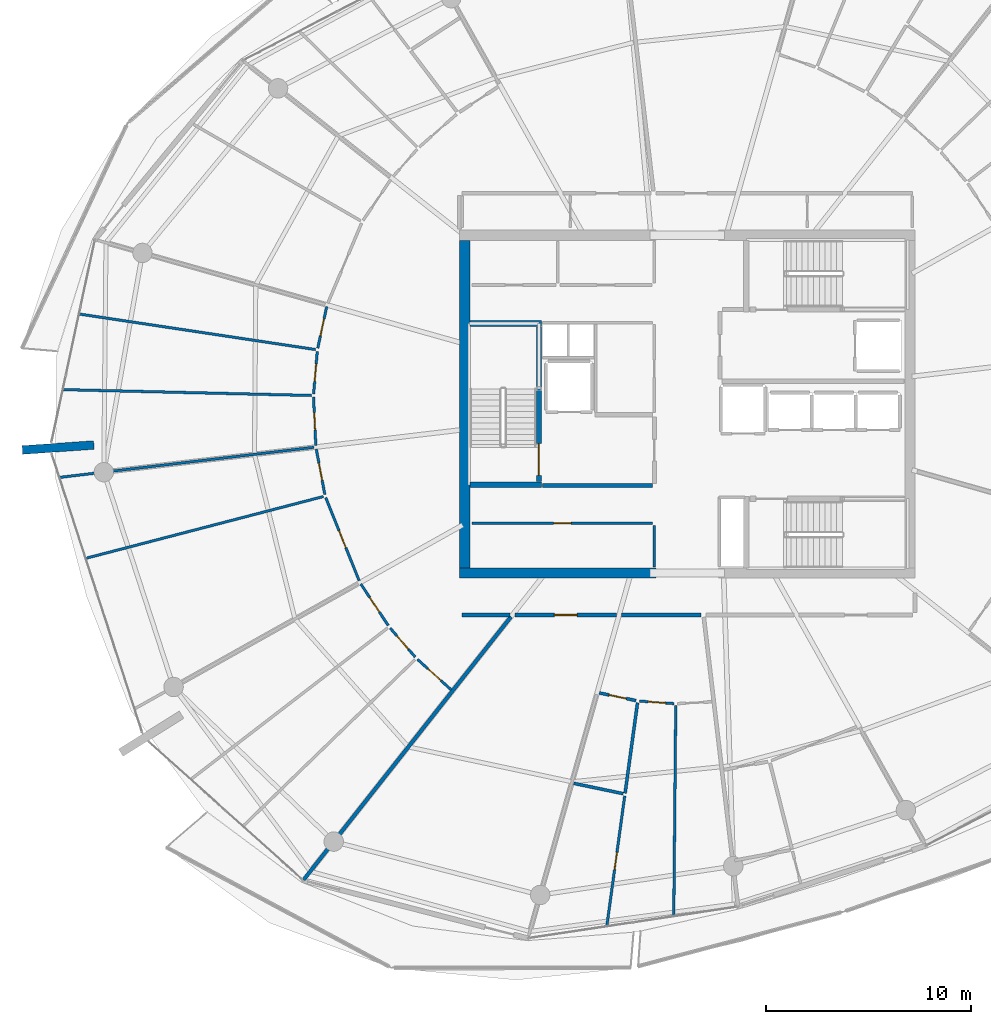
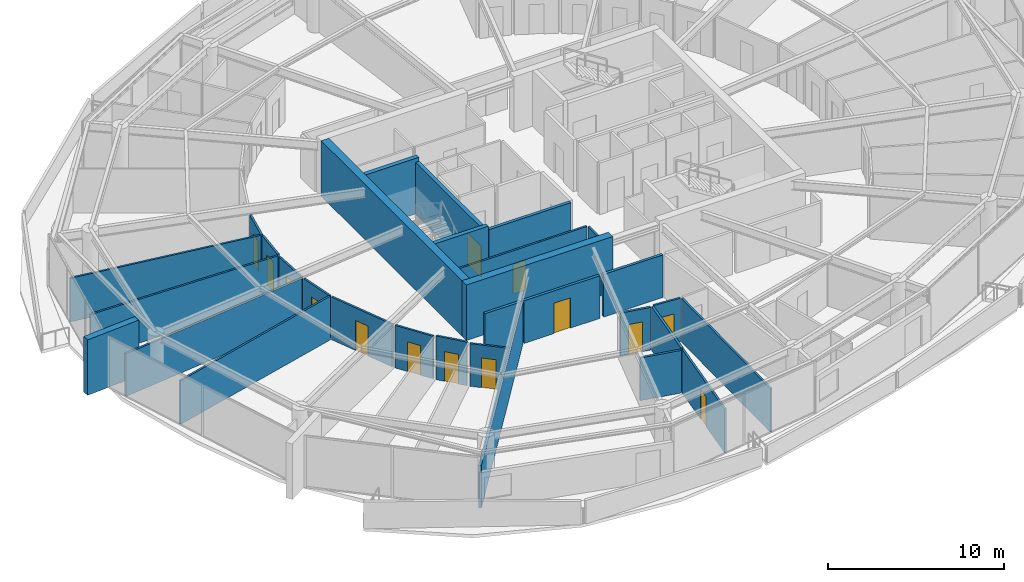
# One storey, part 18 of 30: 31 walls, 14 doors, 14 openings.
"""IFC4 building model written with IfcOpenShell, lengths in metres."""

from ifc_helpers import new_model, si_unit, direction, frame, frame_2d, origin, place, context, subcontext, project, spatial, rectangle, extrude, material, layer, layer_set, type_object, element, fill, save


model = new_model("IFC4")

# Units and contexts
model_context = context("Model", 3, precision=1e-05, world=origin(), true_north=direction((0.0, 1.0)))
body_context = subcontext(model_context, "Body", "Model", "MODEL_VIEW")
ifc_project = project(units=[si_unit("LENGTHUNIT", "METRE"), si_unit("AREAUNIT", "SQUARE_METRE"), si_unit("VOLUMEUNIT", "CUBIC_METRE"), si_unit("PLANEANGLEUNIT", "RADIAN"), si_unit("MASSUNIT", "GRAM", prefix="KILO")], contexts=[model_context])

# Site, building, storey
site_placement = place(None, origin())
site = spatial("IfcSite", under=ifc_project, at=site_placement, CompositionType="ELEMENT")
building_placement = place(site_placement, origin())
building = spatial("IfcBuilding", under=site, at=building_placement, Name="Kazma Halo Residences", CompositionType="ELEMENT")
storey_placement = place(building_placement, frame((0.0, 0.0, 279.050048828125)))
storey = spatial("IfcBuildingStorey", under=building, at=storey_placement, Name="L70", CompositionType="ELEMENT", Elevation=279.050048828125)

# Walls
ifc_material_1 = material(Name="Pale Concrete C60/75", Category="concrete")
ifc_layer_1 = layer(ifc_material_1, 0.419921875)
ifc_layer_set_1 = layer_set([ifc_layer_1], Name="Pale Concrete C60/75")
wall_type_1 = type_object("IfcWallType", Name="WL-BLADE-420", PredefinedType="SOLIDWALL", material=ifc_layer_set_1)
wall_1_placement = place(storey_placement, frame((19.4375, 40.002685546875, 0.0), z_axis=(0.0, 0.0, 1.0), x_axis=(-0.997563824095, -0.069759707979, 0.0)))
element("IfcWall", 1, at=wall_1_placement, inside=storey, type_object=wall_type_1, Name="L70 pale concrete structural blade fin wall BW-02", PredefinedType="SOLIDWALL", context=body_context, shape_type="SweptSolid", body=[
    extrude(rectangle(XDim=3.499755859375, YDim=0.419921875, at=frame_2d((1.75, 0.0))), origin(), (0.0, 0.0, 1.0), 3.849853515625),
])
ifc_material_2 = material(Name="Concrete C60/75", Category="concrete")
ifc_layer_2 = layer(ifc_material_2, 0.5)
ifc_layer_set_2 = layer_set([ifc_layer_2], Name="Concrete C60/75")
wall_type_2 = type_object("IfcWallType", Name="WL-CORE-500", PredefinedType="SHEAR", material=ifc_layer_set_2)
wall_2_placement = place(storey_placement, frame((37.300048828125, 33.75, 0.0), z_axis=(0.0, 0.0, 1.0), x_axis=(1.0, 0.0, 0.0)))
element("IfcWall", 2, at=wall_2_placement, inside=storey, type_object=wall_type_2, Name="L70 central core shear wall SW", PredefinedType="SHEAR", context=body_context, shape_type="SweptSolid", body=[
    extrude(rectangle(XDim=9.599853515625, YDim=0.5, at=frame_2d((4.7998046875, 0.0))), origin(), (0.0, 0.0, 1.0), 3.849853515625),
])
wall_3_placement = place(storey_placement, frame((37.550048828125, 34.0, 0.0), z_axis=(0.0, 0.0, 1.0), x_axis=(0.0, 1.0, 0.0)))
element("IfcWall", 3, at=wall_3_placement, inside=storey, type_object=wall_type_2, Name="L70 central core shear wall W", PredefinedType="SHEAR", context=body_context, shape_type="SweptSolid", body=[
    extrude(rectangle(XDim=16.0, YDim=0.5, at=frame_2d((8.0, 0.0))), origin(), (0.0, 0.0, 1.0), 3.849853515625),
])
ifc_layer_3 = layer(ifc_material_2, 0.280029296875)
ifc_layer_set_3 = layer_set([ifc_layer_3], Name="Concrete C60/75")
wall_type_3 = type_object("IfcWallType", Name="WL-CORE-ST-280", PredefinedType="SHEAR", material=ifc_layer_set_3)
for number, where, z_axis, x_axis, name in (
    (4, (37.800048828125, 38.06005859375, 0.0), (0.0, 0.0, 1.0), (1.0, 0.0, 0.0), "L70 stairwell bearing wall ST01-S"),
    (5, (37.800048828125, 45.93994140625, 0.0), (0.0, 0.0, 1.0), (1.0, 0.0, 0.0), "L70 stairwell bearing wall ST01-N"),
):
    element("IfcWall", number, at=place(storey_placement, frame(where, z_axis=z_axis, x_axis=x_axis)), inside=storey, type_object=wall_type_3, Name=name, PredefinedType="SHEAR", context=body_context, shape_type="SweptSolid", body=[
        extrude(rectangle(XDim=3.5, YDim=0.280029296875, at=frame_2d((1.75, 0.0))), origin(), (0.0, 0.0, 1.0), 3.849853515625),
    ])
ifc_material_3 = material(Name="Acoustic Twin-Stud Gypsum")
ifc_layer_4 = layer(ifc_material_3, 0.179931640625)
ifc_layer_set_4 = layer_set([ifc_layer_4], Name="Acoustic Twin-Stud Gypsum")
wall_type_4 = type_object("IfcWallType", Name="WL-DEM-180", PredefinedType="PARTITIONING", material=ifc_layer_set_4)
wall_4_placement = place(storey_placement, frame((39.81201171875, 31.613525390625, 0.0), z_axis=(0.0, 0.0, 1.0), x_axis=(-0.619097230176, -0.785314344443, 0.0)))
element("IfcWall", 6, at=wall_4_placement, inside=storey, type_object=wall_type_4, Name="L70 apartment demising radial wall 09", PredefinedType="PARTITIONING", context=body_context, shape_type="SweptSolid", body=[
    extrude(rectangle(XDim=16.369873046875, YDim=0.179931640625, at=frame_2d((8.18505859375, 0.0))), origin(), (0.0, 0.0, 1.0), 2.95703125),
])
wall_5_placement = place(storey_placement, frame((37.419921875, 31.699951171875, 0.0), z_axis=(0.0, 0.0, 1.0), x_axis=(1.0, 0.0, 0.0)))
element("IfcWall", 7, at=wall_5_placement, inside=storey, type_object=wall_type_4, Name="L70 Apartment 1 inner wall 8", PredefinedType="PARTITIONING", context=body_context, shape_type="SweptSolid", body=[
    extrude(rectangle(XDim=2.340087890625, YDim=0.179931640625, at=frame_2d((1.169921875, 0.0))), origin(), (0.0, 0.0, 1.0), 2.95703125),
])

# Wall, opening, door
wall_6_placement = place(storey_placement, frame((40.0, 31.699951171875, 0.0), z_axis=(0.0, 0.0, 1.0), x_axis=(1.0, 0.0, 0.0)))
wall_6 = element("IfcWall", 8, at=wall_6_placement, inside=storey, type_object=wall_type_4, Name="L70 Apartment 2 entrance corridor wall", PredefinedType="PARTITIONING", context=body_context, shape_type="SweptSolid", body=[
    extrude(rectangle(XDim=4.97509765625, YDim=0.179931640625, at=frame_2d((2.487548828125, 0.0))), origin(), (0.0, 0.0, 1.0), 2.95703125),
])
opening_1_placement = place(wall_6_placement, frame((1.9375, 0.0, 0.0)))
opening_1 = element("IfcOpeningElement", 9, at=opening_1_placement, cuts=wall_6, Name="Opening DA-1100", PredefinedType="OPENING", context=body_context, shape_type="SweptSolid", body=[
    extrude(rectangle(XDim=1.10009765625, YDim=2.10009765625, at=frame_2d((0.550048828125, 1.050048828125))), frame((0.0, 0.099853515625, 0.0), z_axis=(0.0, -1.0, 0.0), x_axis=(1.0, 0.0, 0.0)), (0.0, 0.0, 1.0), 0.199951171875),
])
ifc_material_4 = material(Name="Acoustic Walnut Fire Leaf")
door_type_1 = type_object("IfcDoorType", Name="DR-FD60-1100", OperationType="NOTDEFINED", PredefinedType="DOOR", material=ifc_material_4)
door_1_placement = place(opening_1_placement, origin())
door_1 = element("IfcDoor", 10, at=door_1_placement, inside=storey, type_object=door_type_1, Name="L70 Apartment 2 entrance fire door", OperationType="SINGLE_SWING_LEFT", OverallHeight=2.10009765625, OverallWidth=1.10009765625, PredefinedType="DOOR", context=body_context, shape_type="SweptSolid", body=[
    extrude(rectangle(XDim=1.10009765625, YDim=2.10009765625, at=frame_2d((0.550048828125, 1.050048828125))), frame((0.0, 0.02490234375, 0.0), z_axis=(0.0, -1.0, 0.0), x_axis=(1.0, 0.0, 0.0)), (0.0, 0.0, 1.0), 0.050048828125),
])
fill(opening_1, door_1)

# Walls
wall_7_placement = place(storey_placement, frame((45.215087890625, 31.699951171875, 0.0), z_axis=(0.0, 0.0, 1.0), x_axis=(1.0, 0.0, 0.0)))
element("IfcWall", 11, at=wall_7_placement, inside=storey, type_object=wall_type_4, Name="L70 Apartment 2 inner wall 10", PredefinedType="PARTITIONING", context=body_context, shape_type="SweptSolid", body=[
    extrude(rectangle(XDim=3.884033203125, YDim=0.179931640625, at=frame_2d((1.94189453125, 0.0))), origin(), (0.0, 0.0, 1.0), 2.95703125),
])
ifc_material_5 = material(Name="Fire-Rated Blockwork Masonry", Category="masonry")
ifc_layer_5 = layer(ifc_material_5, 0.199951171875)
ifc_layer_set_5 = layer_set([ifc_layer_5], Name="Fire-Rated Blockwork Masonry")
wall_type_5 = type_object("IfcWallType", Name="WL-FLB-200", PredefinedType="PARTITIONING", material=ifc_layer_set_5)
wall_8_placement = place(storey_placement, frame((41.35009765625, 38.02001953125, 0.0), z_axis=(0.0, 0.0, 1.0), x_axis=(1.0, 0.0, 0.0)))
element("IfcWall", 12, at=wall_8_placement, inside=storey, type_object=wall_type_5, Name="L70 west firefighting lobby south smoke wall", PredefinedType="PARTITIONING", context=body_context, shape_type="SweptSolid", body=[
    extrude(rectangle(XDim=5.369873046875, YDim=0.199951171875, at=frame_2d((2.68505859375, 0.0))), origin(), (0.0, 0.0, 1.0), 3.58984375),
])
ifc_material_6 = material(Name="Gypsum Plasterboard Partition")
ifc_layer_6 = layer(ifc_material_6, 0.125)
ifc_layer_set_6 = layer_set([ifc_layer_6], Name="Gypsum Plasterboard Partition")
wall_type_6 = type_object("IfcWallType", Name="WL-PART-125", PredefinedType="PARTITIONING", material=ifc_layer_set_6)
wall_9_placement = place(storey_placement, frame((46.820068359375, 34.050048828125, 0.0), z_axis=(0.0, 0.0, 1.0), x_axis=(0.0, 1.0, 0.0)))
element("IfcWall", 13, at=wall_9_placement, inside=storey, type_object=wall_type_6, Name="L70 reclaimed south east wall", PredefinedType="PARTITIONING", context=body_context, shape_type="SweptSolid", body=[
    extrude(rectangle(XDim=2.030029296875, YDim=0.125, at=frame_2d((1.01513671875, 0.0))), origin(), (0.0, 0.0, 1.0), 3.030029296875),
])

# Wall, opening, door
wall_10_placement = place(storey_placement, frame((37.919921875, 36.179931640625, 0.0), z_axis=(0.0, 0.0, 1.0), x_axis=(1.0, 0.0, 0.0)))
wall_10 = element("IfcWall", 14, at=wall_10_placement, inside=storey, type_object=wall_type_6, Name="L70 reclaimed south front wall", PredefinedType="PARTITIONING", context=body_context, shape_type="SweptSolid", body=[
    extrude(rectangle(XDim=8.800048828125, YDim=0.125, at=frame_2d((4.39990234375, 0.0))), origin(), (0.0, 0.0, 1.0), 3.030029296875),
])
opening_2_placement = place(wall_10_placement, frame((3.97509765625, 0.0, 0.0)))
opening_2 = element("IfcOpeningElement", 15, at=opening_2_placement, cuts=wall_10, Name="Opening DS-850", PredefinedType="OPENING", context=body_context, shape_type="SweptSolid", body=[
    extrude(rectangle(XDim=0.85009765625, YDim=2.06005859375, at=frame_2d((0.425048828125, 1.030029296875))), frame((0.0, 0.072509765625, 0.0), z_axis=(0.0, -1.0, 0.0), x_axis=(1.0, 0.0, 0.0)), (0.0, 0.0, 1.0), 0.14501953125),
])
ifc_material_7 = material(Name="Painted Steel Access Leaf", Category="steel")
door_type_2 = type_object("IfcDoorType", Name="DR-SVC-850", OperationType="NOTDEFINED", PredefinedType="DOOR", material=ifc_material_7)
door_2_placement = place(opening_2_placement, origin())
door_2 = element("IfcDoor", 16, at=door_2_placement, inside=storey, type_object=door_type_2, Name="L70 reclaimed south service door", OperationType="SINGLE_SWING_LEFT", OverallHeight=2.06005859375, OverallWidth=0.85009765625, PredefinedType="DOOR", context=body_context, shape_type="SweptSolid", body=[
    extrude(rectangle(XDim=0.85009765625, YDim=2.06005859375, at=frame_2d((0.425048828125, 1.030029296875))), frame((0.0, 0.02490234375, 0.0), z_axis=(0.0, -1.0, 0.0), x_axis=(1.0, 0.0, 0.0)), (0.0, 0.0, 1.0), 0.050048828125),
])
fill(opening_2, door_2)

# Walls
wall_11_placement = place(storey_placement, frame((30.267333984375, 44.666015625, 0.0), z_axis=(0.0, 0.0, 1.0), x_axis=(-0.988886077573, 0.148675235266, 0.0)))
element("IfcWall", 17, at=wall_11_placement, inside=storey, type_object=wall_type_6, Name="L70 Apartment 1 bay wall 1 6", PredefinedType="PARTITIONING", context=body_context, shape_type="SweptSolid", body=[
    extrude(rectangle(XDim=11.66064453125, YDim=0.125, at=frame_2d((5.830322265625, 0.0))), origin(), (0.0, 0.0, 1.0), 3.030029296875),
])
wall_12_placement = place(storey_placement, frame((30.072998046875, 42.422607421875, 0.0), z_axis=(0.0, 0.0, 1.0), x_axis=(-0.999722774678, 0.023545143653, 0.0)))
element("IfcWall", 18, at=wall_12_placement, inside=storey, type_object=wall_type_6, Name="L70 Apartment 1 bay wall 2 6", PredefinedType="PARTITIONING", context=body_context, shape_type="SweptSolid", body=[
    extrude(rectangle(XDim=12.1318359375, YDim=0.125, at=frame_2d((6.06591796875, 0.0))), origin(), (0.0, 0.0, 1.0), 3.030029296875),
])

# Wall, opening, door
wall_13_placement = place(storey_placement, frame((30.81103515625, 46.764892578125, 0.0), z_axis=(0.0, 0.0, 1.0), x_axis=(-0.210490523381, -0.977595897888, 0.0)))
wall_13 = element("IfcWall", 19, at=wall_13_placement, inside=storey, type_object=wall_type_6, Name="L70 Apartment 1 East Bedroom hall wall", PredefinedType="PARTITIONING", context=body_context, shape_type="SweptSolid", body=[
    extrude(rectangle(XDim=2.080810546875, YDim=0.125, at=frame_2d((1.04052734375, 0.0))), origin(), (0.0, 0.0, 1.0), 2.95703125),
])
opening_3_placement = place(wall_13_placement, frame((0.615234375, 0.0, 0.0)))
opening_3 = element("IfcOpeningElement", 20, at=opening_3_placement, cuts=wall_13, Name="Opening DB-900", PredefinedType="OPENING", context=body_context, shape_type="SweptSolid", body=[
    extrude(rectangle(XDim=0.85009765625, YDim=2.06005859375, at=frame_2d((0.425048828125, 1.030029296875))), frame((0.0, 0.072509765625, 0.0), z_axis=(0.0, -1.0, 0.0), x_axis=(1.0, 0.0, 0.0)), (0.0, 0.0, 1.0), 0.14501953125),
])
ifc_material_8 = material(Name="Moisture-Sealed Timber Leaf", Category="wood")
door_type_3 = type_object("IfcDoorType", Name="DR-BTH-900", OperationType="NOTDEFINED", PredefinedType="DOOR", material=ifc_material_8)
door_3_placement = place(opening_3_placement, origin())
door_3 = element("IfcDoor", 21, at=door_3_placement, inside=storey, type_object=door_type_3, Name="L70 Apartment 1 East Bedroom door", OperationType="SINGLE_SWING_RIGHT", OverallHeight=2.06005859375, OverallWidth=0.85009765625, PredefinedType="DOOR", context=body_context, shape_type="SweptSolid", body=[
    extrude(rectangle(XDim=0.85009765625, YDim=2.06005859375, at=frame_2d((0.425048828125, 1.030029296875))), frame((0.0, 0.02490234375, 0.0), z_axis=(0.0, -1.0, 0.0), x_axis=(1.0, 0.0, 0.0)), (0.0, 0.0, 1.0), 0.050048828125),
])
fill(opening_3, door_3)

wall_14_placement = place(storey_placement, frame((30.349365234375, 44.572998046875, 0.0), z_axis=(0.0, 0.0, 1.0), x_axis=(-0.08623974721, -0.996274413001, 0.0)))
wall_14 = element("IfcWall", 22, at=wall_14_placement, inside=storey, type_object=wall_type_6, Name="L70 Apartment 1 West Dressing Wardrobe hall wall", PredefinedType="PARTITIONING", context=body_context, shape_type="SweptSolid", body=[
    extrude(rectangle(XDim=2.080810546875, YDim=0.125, at=frame_2d((1.04052734375, 0.0))), origin(), (0.0, 0.0, 1.0), 3.030029296875),
])
opening_4_placement = place(wall_14_placement, frame((0.615234375, 0.0, 0.0)))
opening_4 = element("IfcOpeningElement", 23, at=opening_4_placement, cuts=wall_14, Name="Opening DB-900", PredefinedType="OPENING", context=body_context, shape_type="SweptSolid", body=[
    extrude(rectangle(XDim=0.85009765625, YDim=2.06005859375, at=frame_2d((0.425048828125, 1.030029296875))), frame((0.0, 0.072509765625, 0.0), z_axis=(0.0, -1.0, 0.0), x_axis=(1.0, 0.0, 0.0)), (0.0, 0.0, 1.0), 0.14501953125),
])
door_4_placement = place(opening_4_placement, origin())
door_4 = element("IfcDoor", 24, at=door_4_placement, inside=storey, type_object=door_type_3, Name="L70 Apartment 1 West Dressing Wardrobe door", OperationType="SINGLE_SWING_LEFT", OverallHeight=2.06005859375, OverallWidth=0.85009765625, PredefinedType="DOOR", context=body_context, shape_type="SweptSolid", body=[
    extrude(rectangle(XDim=0.85009765625, YDim=2.06005859375, at=frame_2d((0.425048828125, 1.030029296875))), frame((0.0, 0.02490234375, 0.0), z_axis=(0.0, -1.0, 0.0), x_axis=(1.0, 0.0, 0.0)), (0.0, 0.0, 1.0), 0.050048828125),
])
fill(opening_4, door_4)

wall_15_placement = place(storey_placement, frame((30.166748046875, 42.340576171875, 0.0), z_axis=(0.0, 0.0, 1.0), x_axis=(0.047063871423, -0.998891882041, 0.0)))
wall_15 = element("IfcWall", 25, at=wall_15_placement, inside=storey, type_object=wall_type_6, Name="L70 Apartment 1 North Master Bedroom hall wall", PredefinedType="PARTITIONING", context=body_context, shape_type="SweptSolid", body=[
    extrude(rectangle(XDim=2.3603515625, YDim=0.125, at=frame_2d((1.18017578125, 0.0))), origin(), (0.0, 0.0, 1.0), 2.95703125),
])
opening_5_placement = place(wall_15_placement, frame((0.755126953125, 0.0, 0.0)))
opening_5 = element("IfcOpeningElement", 26, at=opening_5_placement, cuts=wall_15, Name="Opening DB-900", PredefinedType="OPENING", context=body_context, shape_type="SweptSolid", body=[
    extrude(rectangle(XDim=0.85009765625, YDim=2.06005859375, at=frame_2d((0.425048828125, 1.030029296875))), frame((0.0, 0.072509765625, 0.0), z_axis=(0.0, -1.0, 0.0), x_axis=(1.0, 0.0, 0.0)), (0.0, 0.0, 1.0), 0.14501953125),
])
door_5_placement = place(opening_5_placement, origin())
door_5 = element("IfcDoor", 27, at=door_5_placement, inside=storey, type_object=door_type_3, Name="L70 Apartment 1 North Master Bedroom door", OperationType="SINGLE_SWING_RIGHT", OverallHeight=2.06005859375, OverallWidth=0.85009765625, PredefinedType="DOOR", context=body_context, shape_type="SweptSolid", body=[
    extrude(rectangle(XDim=0.85009765625, YDim=2.06005859375, at=frame_2d((0.425048828125, 1.030029296875))), frame((0.0, 0.02490234375, 0.0), z_axis=(0.0, -1.0, 0.0), x_axis=(1.0, 0.0, 0.0)), (0.0, 0.0, 1.0), 0.050048828125),
])
fill(opening_5, door_5)

# Walls
wall_16_placement = place(storey_placement, frame((30.182373046875, 39.89111328125, 0.0), z_axis=(0.0, 0.0, 1.0), x_axis=(-0.993068421431, -0.117537697601, 0.0)))
element("IfcWall", 28, at=wall_16_placement, inside=storey, type_object=wall_type_6, Name="L70 Apartment 1 radial partition 7", PredefinedType="PARTITIONING", context=body_context, shape_type="SweptSolid", body=[
    extrude(rectangle(XDim=12.48779296875, YDim=0.125, at=frame_2d((6.243896484375, 0.0))), origin(), (0.0, 0.0, 1.0), 2.95703125),
])
wall_17_placement = place(storey_placement, frame((30.6455078125, 37.48583984375, 0.0), z_axis=(0.0, 0.0, 1.0), x_axis=(-0.967801832841, -0.251713353539, 0.0)))
element("IfcWall", 29, at=wall_17_placement, inside=storey, type_object=wall_type_6, Name="L70 Apartment 1 mid-bay wall 7", PredefinedType="PARTITIONING", context=body_context, shape_type="SweptSolid", body=[
    extrude(rectangle(XDim=11.9658203125, YDim=0.125, at=frame_2d((5.98291015625, 0.0))), origin(), (0.0, 0.0, 1.0), 3.030029296875),
])

# Wall, opening, door
wall_18_placement = place(storey_placement, frame((30.30029296875, 39.8046875, 0.0), z_axis=(0.0, 0.0, 1.0), x_axis=(0.185013596113, -0.982735961107, 0.0)))
wall_18 = element("IfcWall", 30, at=wall_18_placement, inside=storey, type_object=wall_type_6, Name="L70 Apartment 1 South Wine Pantry Store hall wall", PredefinedType="PARTITIONING", context=body_context, shape_type="SweptSolid", body=[
    extrude(rectangle(XDim=2.256591796875, YDim=0.125, at=frame_2d((1.12841796875, 0.0))), origin(), (0.0, 0.0, 1.0), 2.95703125),
])
opening_6_placement = place(wall_18_placement, frame((0.703125, 0.0, 0.0)))
opening_6 = element("IfcOpeningElement", 31, at=opening_6_placement, cuts=wall_18, Name="Opening DB-900", PredefinedType="OPENING", context=body_context, shape_type="SweptSolid", body=[
    extrude(rectangle(XDim=0.85009765625, YDim=2.06005859375, at=frame_2d((0.425048828125, 1.030029296875))), frame((0.0, 0.072509765625, 0.0), z_axis=(0.0, -1.0, 0.0), x_axis=(1.0, 0.0, 0.0)), (0.0, 0.0, 1.0), 0.14501953125),
])
door_6_placement = place(opening_6_placement, origin())
door_6 = element("IfcDoor", 32, at=door_6_placement, inside=storey, type_object=door_type_3, Name="L70 Apartment 1 South Wine Pantry Store door", OperationType="SINGLE_SWING_RIGHT", OverallHeight=2.06005859375, OverallWidth=0.85009765625, PredefinedType="DOOR", context=body_context, shape_type="SweptSolid", body=[
    extrude(rectangle(XDim=0.85009765625, YDim=2.06005859375, at=frame_2d((0.425048828125, 1.030029296875))), frame((0.0, 0.02490234375, 0.0), z_axis=(0.0, -1.0, 0.0), x_axis=(1.0, 0.0, 0.0)), (0.0, 0.0, 1.0), 0.050048828125),
])
fill(opening_6, door_6)

wall_19_placement = place(storey_placement, frame((30.762451171875, 37.434326171875, 0.0), z_axis=(0.0, 0.0, 1.0), x_axis=(0.373208088993, -0.927747660903, 0.0)))
wall_19 = element("IfcWall", 33, at=wall_19_placement, inside=storey, type_object=wall_type_6, Name="L70 Apartment 1 Inner Formal Dining Room hall wall", PredefinedType="PARTITIONING", context=body_context, shape_type="SweptSolid", body=[
    extrude(rectangle(XDim=4.375732421875, YDim=0.125, at=frame_2d((2.18798828125, 0.0))), origin(), (0.0, 0.0, 1.0), 2.95703125),
])
opening_7_placement = place(wall_19_placement, frame((1.73779296875, 0.0, 0.0)))
opening_7 = element("IfcOpeningElement", 34, at=opening_7_placement, cuts=wall_19, Name="Opening DI-950", PredefinedType="OPENING", context=body_context, shape_type="SweptSolid", body=[
    extrude(rectangle(XDim=0.89990234375, YDim=2.080078125, at=frame_2d((0.449951171875, 1.0400390625))), frame((0.0, 0.072509765625, 0.0), z_axis=(0.0, -1.0, 0.0), x_axis=(1.0, 0.0, 0.0)), (0.0, 0.0, 1.0), 0.14501953125),
])
ifc_material_9 = material(Name="Timber Veneer Flush Leaf", Category="wood")
door_type_4 = type_object("IfcDoorType", Name="DR-INT-950", OperationType="NOTDEFINED", PredefinedType="DOOR", material=ifc_material_9)
door_7_placement = place(opening_7_placement, origin())
door_7 = element("IfcDoor", 35, at=door_7_placement, inside=storey, type_object=door_type_4, Name="L70 Apartment 1 Inner Formal Dining Room door", OperationType="SINGLE_SWING_LEFT", OverallHeight=2.080078125, OverallWidth=0.89990234375, PredefinedType="DOOR", context=body_context, shape_type="SweptSolid", body=[
    extrude(rectangle(XDim=0.89990234375, YDim=2.080078125, at=frame_2d((0.449951171875, 1.0400390625))), frame((0.0, 0.02490234375, 0.0), z_axis=(0.0, -1.0, 0.0), x_axis=(1.0, 0.0, 0.0)), (0.0, 0.0, 1.0), 0.050048828125),
])
fill(opening_7, door_7)

wall_20_placement = place(storey_placement, frame((32.47705078125, 33.215087890625, 0.0), z_axis=(0.0, 0.0, 1.0), x_axis=(0.550682631302, -0.834714705502, 0.0)))
wall_20 = element("IfcWall", 36, at=wall_20_placement, inside=storey, type_object=wall_type_6, Name="L70 Apartment 1 Outer Master Bedroom hall wall", PredefinedType="PARTITIONING", context=body_context, shape_type="SweptSolid", body=[
    extrude(rectangle(XDim=2.429931640625, YDim=0.125, at=frame_2d((1.21484375, 0.0))), origin(), (0.0, 0.0, 1.0), 2.95703125),
])
opening_8_placement = place(wall_20_placement, frame((0.7900390625, 0.0, 0.0)))
opening_8 = element("IfcOpeningElement", 37, at=opening_8_placement, cuts=wall_20, Name="Opening DB-900", PredefinedType="OPENING", context=body_context, shape_type="SweptSolid", body=[
    extrude(rectangle(XDim=0.85009765625, YDim=2.06005859375, at=frame_2d((0.425048828125, 1.030029296875))), frame((0.0, 0.072509765625, 0.0), z_axis=(0.0, -1.0, 0.0), x_axis=(1.0, 0.0, 0.0)), (0.0, 0.0, 1.0), 0.14501953125),
])
door_8_placement = place(opening_8_placement, origin())
door_8 = element("IfcDoor", 38, at=door_8_placement, inside=storey, type_object=door_type_3, Name="L70 Apartment 1 Outer Master Bedroom door", OperationType="SINGLE_SWING_RIGHT", OverallHeight=2.06005859375, OverallWidth=0.85009765625, PredefinedType="DOOR", context=body_context, shape_type="SweptSolid", body=[
    extrude(rectangle(XDim=0.85009765625, YDim=2.06005859375, at=frame_2d((0.425048828125, 1.030029296875))), frame((0.0, 0.02490234375, 0.0), z_axis=(0.0, -1.0, 0.0), x_axis=(1.0, 0.0, 0.0)), (0.0, 0.0, 1.0), 0.050048828125),
])
fill(opening_8, door_8)

wall_21_placement = place(storey_placement, frame((33.91162109375, 31.0595703125, 0.0), z_axis=(0.0, 0.0, 1.0), x_axis=(0.65389162061, -0.756588229155, 0.0)))
wall_21 = element("IfcWall", 39, at=wall_21_placement, inside=storey, type_object=wall_type_6, Name="L70 Apartment 1 Corner Dressing Wardrobe hall wall", PredefinedType="PARTITIONING", context=body_context, shape_type="SweptSolid", body=[
    extrude(rectangle(XDim=1.870849609375, YDim=0.125, at=frame_2d((0.935546875, 0.0))), origin(), (0.0, 0.0, 1.0), 3.030029296875),
])
opening_9_placement = place(wall_21_placement, frame((0.510498046875, 0.0, 0.0)))
opening_9 = element("IfcOpeningElement", 40, at=opening_9_placement, cuts=wall_21, Name="Opening DB-900", PredefinedType="OPENING", context=body_context, shape_type="SweptSolid", body=[
    extrude(rectangle(XDim=0.85009765625, YDim=2.06005859375, at=frame_2d((0.425048828125, 1.030029296875))), frame((0.0, 0.072509765625, 0.0), z_axis=(0.0, -1.0, 0.0), x_axis=(1.0, 0.0, 0.0)), (0.0, 0.0, 1.0), 0.14501953125),
])
door_9_placement = place(opening_9_placement, origin())
door_9 = element("IfcDoor", 41, at=door_9_placement, inside=storey, type_object=door_type_3, Name="L70 Apartment 1 Corner Dressing Wardrobe door", OperationType="SINGLE_SWING_LEFT", OverallHeight=2.06005859375, OverallWidth=0.85009765625, PredefinedType="DOOR", context=body_context, shape_type="SweptSolid", body=[
    extrude(rectangle(XDim=0.85009765625, YDim=2.06005859375, at=frame_2d((0.425048828125, 1.030029296875))), frame((0.0, 0.02490234375, 0.0), z_axis=(0.0, -1.0, 0.0), x_axis=(1.0, 0.0, 0.0)), (0.0, 0.0, 1.0), 0.050048828125),
])
fill(opening_9, door_9)

wall_22_placement = place(storey_placement, frame((35.24658203125, 29.52978515625, 0.0), z_axis=(0.0, 0.0, 1.0), x_axis=(0.742303741258, -0.670063546027, 0.0)))
wall_22 = element("IfcWall", 42, at=wall_22_placement, inside=storey, type_object=wall_type_6, Name="L70 Apartment 1 Garden Bedroom hall wall", PredefinedType="PARTITIONING", context=body_context, shape_type="SweptSolid", body=[
    extrude(rectangle(XDim=2.220458984375, YDim=0.125, at=frame_2d((1.1103515625, 0.0))), origin(), (0.0, 0.0, 1.0), 2.95703125),
])
opening_10_placement = place(wall_22_placement, frame((0.685302734375, 0.0, 0.0)))
opening_10 = element("IfcOpeningElement", 43, at=opening_10_placement, cuts=wall_22, Name="Opening DB-900", PredefinedType="OPENING", context=body_context, shape_type="SweptSolid", body=[
    extrude(rectangle(XDim=0.85009765625, YDim=2.06005859375, at=frame_2d((0.425048828125, 1.030029296875))), frame((0.0, 0.072509765625, 0.0), z_axis=(0.0, -1.0, 0.0), x_axis=(1.0, 0.0, 0.0)), (0.0, 0.0, 1.0), 0.14501953125),
])
door_10_placement = place(opening_10_placement, origin())
door_10 = element("IfcDoor", 44, at=door_10_placement, inside=storey, type_object=door_type_3, Name="L70 Apartment 1 Garden Bedroom door", OperationType="SINGLE_SWING_RIGHT", OverallHeight=2.06005859375, OverallWidth=0.85009765625, PredefinedType="DOOR", context=body_context, shape_type="SweptSolid", body=[
    extrude(rectangle(XDim=0.85009765625, YDim=2.06005859375, at=frame_2d((0.425048828125, 1.030029296875))), frame((0.0, 0.02490234375, 0.0), z_axis=(0.0, -1.0, 0.0), x_axis=(1.0, 0.0, 0.0)), (0.0, 0.0, 1.0), 0.050048828125),
])
fill(opening_10, door_10)

wall_23_placement = place(storey_placement, frame((45.368408203125, 22.864013671875, 0.0), z_axis=(0.0, 0.0, 1.0), x_axis=(-0.136200589596, -0.99068128043, 0.0)))
wall_23 = element("IfcWall", 45, at=wall_23_placement, inside=storey, type_object=wall_type_6, Name="L70 Apartment 2 Utility Laundry Room partition wall", PredefinedType="PARTITIONING", context=body_context, shape_type="SweptSolid", body=[
    extrude(rectangle(XDim=6.411865234375, YDim=0.125, at=frame_2d((3.2060546875, 0.0))), origin(), (0.0, 0.0, 1.0), 3.030029296875),
])
opening_11_placement = place(wall_23_placement, frame((2.781005859375, 0.0, 0.0)))
opening_11 = element("IfcOpeningElement", 46, at=opening_11_placement, cuts=wall_23, Name="Opening DB-900", PredefinedType="OPENING", context=body_context, shape_type="SweptSolid", body=[
    extrude(rectangle(XDim=0.85009765625, YDim=2.06005859375, at=frame_2d((0.425048828125, 1.030029296875))), frame((0.0, 0.072509765625, 0.0), z_axis=(0.0, -1.0, 0.0), x_axis=(1.0, 0.0, 0.0)), (0.0, 0.0, 1.0), 0.14501953125),
])
door_11_placement = place(opening_11_placement, origin())
door_11 = element("IfcDoor", 47, at=door_11_placement, inside=storey, type_object=door_type_3, Name="L70 Apartment 2 Utility Laundry Room door", OperationType="SINGLE_SWING_RIGHT", OverallHeight=2.06005859375, OverallWidth=0.85009765625, PredefinedType="DOOR", context=body_context, shape_type="SweptSolid", body=[
    extrude(rectangle(XDim=0.85009765625, YDim=2.06005859375, at=frame_2d((0.425048828125, 1.030029296875))), frame((0.0, 0.02490234375, 0.0), z_axis=(0.0, -1.0, 0.0), x_axis=(1.0, 0.0, 0.0)), (0.0, 0.0, 1.0), 0.050048828125),
])
fill(opening_11, door_11)

# Wall
wall_24_placement = place(storey_placement, frame((47.861328125, 27.274658203125, 0.0), z_axis=(0.0, 0.0, 1.0), x_axis=(-0.009436905939, -0.999955471412, 0.0)))
element("IfcWall", 48, at=wall_24_placement, inside=storey, type_object=wall_type_6, Name="L70 Apartment 2 suite divider 10", PredefinedType="PARTITIONING", context=body_context, shape_type="SweptSolid", body=[
    extrude(rectangle(XDim=10.270751953125, YDim=0.125, at=frame_2d((5.13525390625, 0.0))), origin(), (0.0, 0.0, 1.0), 3.030029296875),
])

# Wall, opening, door
wall_25_placement = place(storey_placement, frame((46.095947265625, 27.493896484375, 0.0), z_axis=(0.0, 0.0, 1.0), x_axis=(0.997337823183, -0.072919588925, 0.0)))
wall_25 = element("IfcWall", 49, at=wall_25_placement, inside=storey, type_object=wall_type_6, Name="L70 Apartment 2 Gourmet Kitchen hall wall", PredefinedType="PARTITIONING", context=body_context, shape_type="SweptSolid", body=[
    extrude(rectangle(XDim=1.690673828125, YDim=0.125, at=frame_2d((0.84521484375, 0.0))), origin(), (0.0, 0.0, 1.0), 3.030029296875),
])
opening_12_placement = place(wall_25_placement, frame((0.42041015625, 0.0, 0.0)))
opening_12 = element("IfcOpeningElement", 50, at=opening_12_placement, cuts=wall_25, Name="Opening DB-900", PredefinedType="OPENING", context=body_context, shape_type="SweptSolid", body=[
    extrude(rectangle(XDim=0.85009765625, YDim=2.06005859375, at=frame_2d((0.425048828125, 1.030029296875))), frame((0.0, 0.072509765625, 0.0), z_axis=(0.0, -1.0, 0.0), x_axis=(1.0, 0.0, 0.0)), (0.0, 0.0, 1.0), 0.14501953125),
])
door_12_placement = place(opening_12_placement, origin())
door_12 = element("IfcDoor", 51, at=door_12_placement, inside=storey, type_object=door_type_3, Name="L70 Apartment 2 Gourmet Kitchen door", OperationType="SINGLE_SWING_LEFT", OverallHeight=2.06005859375, OverallWidth=0.85009765625, PredefinedType="DOOR", context=body_context, shape_type="SweptSolid", body=[
    extrude(rectangle(XDim=0.85009765625, YDim=2.06005859375, at=frame_2d((0.425048828125, 1.030029296875))), frame((0.0, 0.02490234375, 0.0), z_axis=(0.0, -1.0, 0.0), x_axis=(1.0, 0.0, 0.0)), (0.0, 0.0, 1.0), 0.050048828125),
])
fill(opening_12, door_12)

ifc_material_10 = material(Name="Concrete C50/60", Category="concrete")
ifc_layer_7 = layer(ifc_material_10, 0.25)
ifc_layer_set_7 = layer_set([ifc_layer_7], Name="Concrete C50/60")
wall_type_7 = type_object("IfcWallType", Name="WL-SHF-250", PredefinedType="SOLIDWALL", material=ifc_layer_set_7)
wall_26_placement = place(storey_placement, frame((41.179931640625, 38.219970703125, 0.0), z_axis=(0.0, 0.0, 1.0), x_axis=(0.0, 1.0, 0.0)))
wall_26 = element("IfcWall", 52, at=wall_26_placement, inside=storey, type_object=wall_type_7, Name="L70 exit stair ST-01 enclosure wall", PredefinedType="SOLIDWALL", context=body_context, shape_type="SweptSolid", body=[
    extrude(rectangle(XDim=7.56005859375, YDim=0.25, at=frame_2d((3.780029296875, 0.0))), origin(), (0.0, 0.0, 1.0), 3.58984375),
])
opening_13_placement = place(wall_26_placement, frame((0.300048828125, 0.0, 0.0)))
opening_13 = element("IfcOpeningElement", 53, at=opening_13_placement, cuts=wall_26, Name="Opening D-ST1", PredefinedType="OPENING", context=body_context, shape_type="SweptSolid", body=[
    extrude(rectangle(XDim=1.550048828125, YDim=2.14990234375, at=frame_2d((0.77490234375, 1.074951171875))), frame((0.0, 0.135009765625, 0.0), z_axis=(0.0, -1.0, 0.0), x_axis=(1.0, 0.0, 0.0)), (0.0, 0.0, 1.0), 0.27001953125),
])
ifc_material_11 = material(Name="Fire-Rated Double Steel Leaf", Category="steel")
door_type_5 = type_object("IfcDoorType", Name="DR-FD90-1550", OperationType="NOTDEFINED", PredefinedType="DOOR", material=ifc_material_11)
door_13_placement = place(opening_13_placement, origin())
door_13 = element("IfcDoor", 54, at=door_13_placement, inside=storey, type_object=door_type_5, Name="L70 exit stair ST-01 fire door", OperationType="DOUBLE_DOOR_SINGLE_SWING", OverallHeight=2.14990234375, OverallWidth=1.550048828125, PredefinedType="DOOR", context=body_context, shape_type="SweptSolid", body=[
    extrude(rectangle(XDim=1.550048828125, YDim=2.14990234375, at=frame_2d((0.77490234375, 1.074951171875))), frame((0.0, 0.02490234375, 0.0), z_axis=(0.0, -1.0, 0.0), x_axis=(1.0, 0.0, 0.0)), (0.0, 0.0, 1.0), 0.050048828125),
])
fill(opening_13, door_13)

ifc_material_12 = material(Name="Moisture-Resistant Gypsum")
ifc_layer_8 = layer(ifc_material_12, 0.14990234375)
ifc_layer_set_8 = layer_set([ifc_layer_8], Name="Moisture-Resistant Gypsum")
wall_type_8 = type_object("IfcWallType", Name="WL-WET-150", PredefinedType="PARTITIONING", material=ifc_layer_set_8)
wall_27_placement = place(storey_placement, frame((44.125, 27.89306640625, 0.0), z_axis=(0.0, 0.0, 1.0), x_axis=(0.978900502262, -0.204337482294, 0.0)))
wall_27 = element("IfcWall", 55, at=wall_27_placement, inside=storey, type_object=wall_type_8, Name="L70 Apartment 2 Guest Bathroom hall wall", PredefinedType="PARTITIONING", context=body_context, shape_type="SweptSolid", body=[
    extrude(rectangle(XDim=1.83154296875, YDim=0.14990234375, at=frame_2d((0.915771484375, 0.0))), origin(), (0.0, 0.0, 1.0), 2.95703125),
])
opening_14_placement = place(wall_27_placement, frame((0.49072265625, 0.0, 0.0)))
opening_14 = element("IfcOpeningElement", 56, at=opening_14_placement, cuts=wall_27, Name="Opening DB-900", PredefinedType="OPENING", context=body_context, shape_type="SweptSolid", body=[
    extrude(rectangle(XDim=0.85009765625, YDim=2.06005859375, at=frame_2d((0.425048828125, 1.030029296875))), frame((0.0, 0.0849609375, 0.0), z_axis=(0.0, -1.0, 0.0), x_axis=(1.0, 0.0, 0.0)), (0.0, 0.0, 1.0), 0.169921875),
])
door_14_placement = place(opening_14_placement, origin())
door_14 = element("IfcDoor", 57, at=door_14_placement, inside=storey, type_object=door_type_3, Name="L70 Apartment 2 Guest Bathroom door", OperationType="SINGLE_SWING_LEFT", OverallHeight=2.06005859375, OverallWidth=0.85009765625, PredefinedType="DOOR", context=body_context, shape_type="SweptSolid", body=[
    extrude(rectangle(XDim=0.85009765625, YDim=2.06005859375, at=frame_2d((0.425048828125, 1.030029296875))), frame((0.0, 0.02490234375, 0.0), z_axis=(0.0, -1.0, 0.0), x_axis=(1.0, 0.0, 0.0)), (0.0, 0.0, 1.0), 0.050048828125),
])
fill(opening_14, door_14)

# Walls
wall_28_placement = place(storey_placement, frame((42.879150390625, 23.475341796875, 0.0), z_axis=(0.0, 0.0, 1.0), x_axis=(0.978912814884, -0.204278488479, 0.0)))
element("IfcWall", 58, at=wall_28_placement, inside=storey, type_object=wall_type_8, Name="L70 Apartment 2 Guest Bathroom back wall", PredefinedType="PARTITIONING", context=body_context, shape_type="SweptSolid", body=[
    extrude(rectangle(XDim=2.465576171875, YDim=0.14990234375, at=frame_2d((1.23291015625, 0.0))), origin(), (0.0, 0.0, 1.0), 2.95703125),
])
wall_29_placement = place(storey_placement, frame((45.993896484375, 27.411376953125, 0.0), z_axis=(0.0, 0.0, 1.0), x_axis=(-0.136246545396, -0.99067496126, 0.0)))
element("IfcWall", 59, at=wall_29_placement, inside=storey, type_object=wall_type_8, Name="L70 Apartment 2 Guest Bathroom side wall", PredefinedType="PARTITIONING", context=body_context, shape_type="SweptSolid", body=[
    extrude(rectangle(XDim=4.4599609375, YDim=0.14990234375, at=frame_2d((2.22998046875, 0.0))), origin(), (0.0, 0.0, 1.0), 3.030029296875),
])

save(model, "model.ifc")
